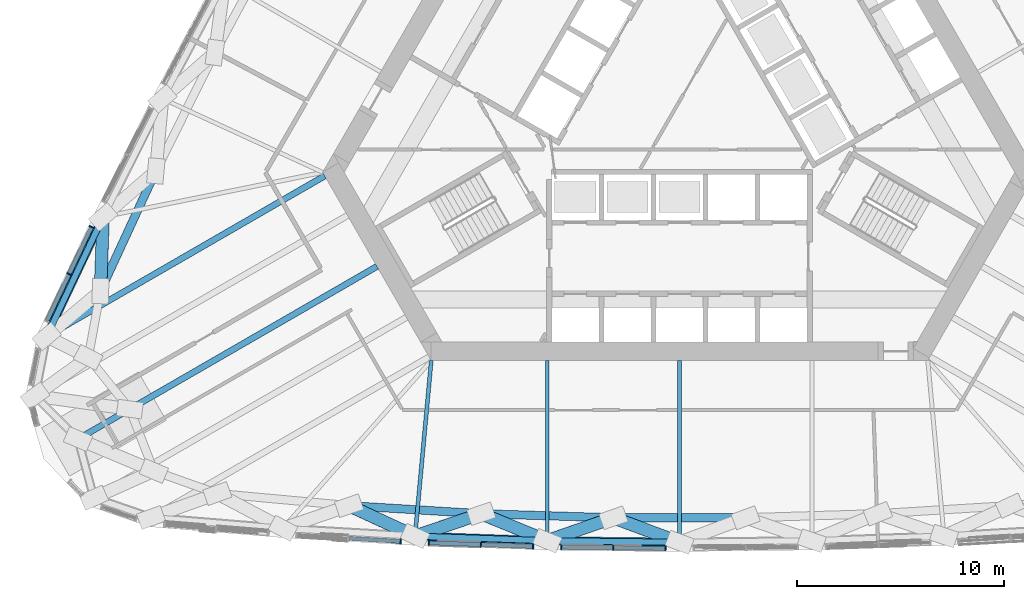
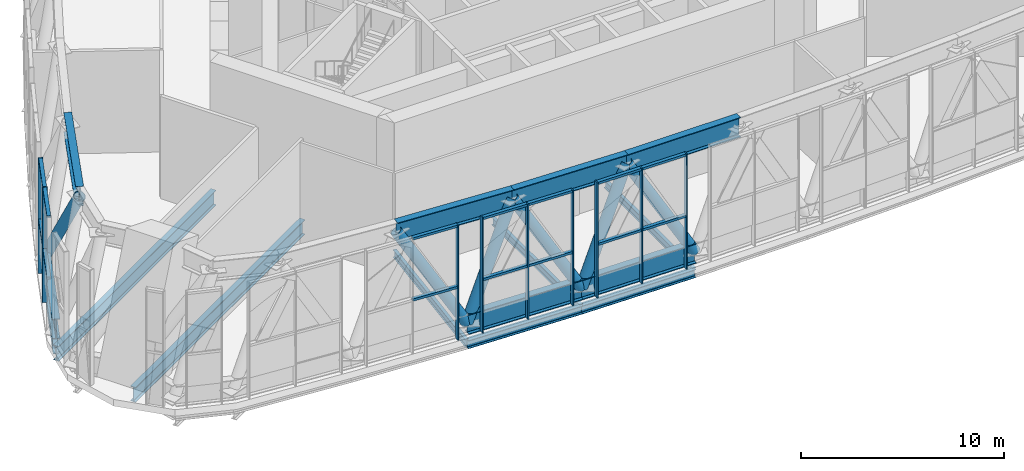
# One storey, part 2 of 33: 36 members, 8 beams, 2 elements without a shape of their own.
"""IFC4 building model written with IfcOpenShell, lengths in metres."""

from ifc_helpers import new_model, si_unit, direction, frame, origin, origin_2d, place, context, subcontext, project, spatial, rectangle, hollow_circle, i_section, extrude, material, material_profile, profile_set, type_object, element, aggregate, save


model = new_model("IFC4")

# Units and contexts
model_context = context("Model", 3, precision=1e-05, world=origin(), true_north=direction((0.0, 1.0)))
body_context = subcontext(model_context, "Body", "Model", "MODEL_VIEW")
ifc_project = project(units=[si_unit("LENGTHUNIT", "METRE"), si_unit("AREAUNIT", "SQUARE_METRE"), si_unit("VOLUMEUNIT", "CUBIC_METRE"), si_unit("PLANEANGLEUNIT", "RADIAN"), si_unit("MASSUNIT", "GRAM", prefix="KILO")], contexts=[model_context])

# Site, building, storey
site_placement = place(None, origin())
site = spatial("IfcSite", under=ifc_project, at=site_placement, CompositionType="ELEMENT")
building_placement = place(site_placement, origin())
building = spatial("IfcBuilding", under=site, at=building_placement, Name="Mestral Congress Tower", CompositionType="ELEMENT")
storey_placement = place(building_placement, frame((0.0, 0.0, 134.39990234375)))
storey = spatial("IfcBuildingStorey", under=building, at=storey_placement, Name="L32", CompositionType="ELEMENT", Elevation=134.39990234375)

# Members
ifc_material_1 = material(Name="Steel S355", Category="steel")
ifc_material_profile_1 = material_profile(ifc_material_1, i_section(OverallWidth=0.39990234375, OverallDepth=1.199951171875, WebThickness=0.02001953125, FlangeThickness=0.0400390625, FilletRadius=0.010009765625, at=origin_2d()), Name="WPG 1200")
ifc_profile_set_1 = profile_set([ifc_material_profile_1], Name="Steel S355")
member_type_1 = type_object("IfcMemberType", Name="Belt chord WPG 1200 S355", PredefinedType="CHORD", material=ifc_profile_set_1)
for number, where, z_axis, x_axis, name in (
    (1, (-12.79541015625, -21.494384765625, 0.60009765625), (0.999385298652, -0.035057450548, 0.0), (0.035057450548, 0.999385298652, 0.0), "MB-L32-BC2-S02"),
    (2, (-6.3994140625, -21.71875, 0.60009765625), (0.999931419324, -0.011711389659, 0.0), (0.011711389659, 0.999931419324, 0.0), "MB-L32-BC2-S03"),
    (3, (-27.8828125, -6.0537109375, 0.60009765625), (-0.427513966881, -0.904008743388, 0.0), (0.904008743388, -0.427513966881, 0.0), "MB-L32-BC2-W07"),
    (4, (-15.984619140625, -20.0224609375, 6.35009765625), (0.998137865433, -0.060998373661, 0.0), (0.060998373661, 0.998137865433, 0.0), "MB-L32-TC2-S01"),
):
    element("IfcMember", number, at=place(storey_placement, frame(where, z_axis=z_axis, x_axis=x_axis)), inside=storey, type_object=member_type_1, Name=name, PredefinedType="CHORD", context=body_context, shape_type="SweptSolid", body=[
        extrude(i_section(OverallWidth=0.39990234375, OverallDepth=1.199951171875, WebThickness=0.02001953125, FlangeThickness=0.0400390625, FilletRadius=0.010009765625, at=origin_2d()), origin(), (0.0, 0.0, 1.0), 6.39990234375),
    ])
member_1_placement = place(storey_placement, frame((-9.5966796875, -20.412841796875, 6.35009765625), z_axis=(0.999534187957, -0.030518963031, 0.0), x_axis=(0.030518963031, 0.999534187957, 0.0)))
element("IfcMember", 5, at=member_1_placement, inside=storey, type_object=member_type_1, Name="MB-L32-TC2-S02", PredefinedType="CHORD", context=body_context, shape_type="SweptSolid", body=[
    extrude(i_section(OverallWidth=0.39990234375, OverallDepth=1.199951171875, WebThickness=0.02001953125, FlangeThickness=0.0400390625, FilletRadius=0.010009765625, at=origin_2d()), origin(), (0.0, 0.0, 1.0), 6.399658203125),
])
member_2_placement = place(storey_placement, frame((-3.199951171875, -20.608154296875, 6.35009765625), z_axis=(1.0, 0.0, 0.0), x_axis=(0.0, 1.0, 0.0)))
element("IfcMember", 6, at=member_2_placement, inside=storey, type_object=member_type_1, Name="MB-L32-TC2-S03", PredefinedType="CHORD", context=body_context, shape_type="SweptSolid", body=[
    extrude(i_section(OverallWidth=0.39990234375, OverallDepth=1.199951171875, WebThickness=0.02001953125, FlangeThickness=0.0400390625, FilletRadius=0.010009765625, at=origin_2d()), origin(), (0.0, 0.0, 1.0), 6.39990234375),
])
member_3_placement = place(storey_placement, frame((-25.332275390625, -3.831787109375, 6.35009765625), z_axis=(-0.418683166857, -0.908132372394, 0.0), x_axis=(0.908132372394, -0.418683166857, 0.0)))
element("IfcMember", 7, at=member_3_placement, inside=storey, type_object=member_type_1, Name="MB-L32-TC2-W06", PredefinedType="CHORD", context=body_context, shape_type="SweptSolid", body=[
    extrude(i_section(OverallWidth=0.39990234375, OverallDepth=1.199951171875, WebThickness=0.02001953125, FlangeThickness=0.0400390625, FilletRadius=0.010009765625, at=origin_2d()), origin(), (0.0, 0.0, 1.0), 6.399658203125),
])
ifc_material_profile_2 = material_profile(ifc_material_1, hollow_circle(Radius=0.304931640625, WallThickness=0.02490234375, at=origin_2d()), Name="CHS 610x25")
ifc_profile_set_2 = profile_set([ifc_material_profile_2], Name="Steel S355")
member_type_2 = type_object("IfcMemberType", Name="Belt diagonal CHS 610x25 S355", PredefinedType="BRACE", material=ifc_profile_set_2)
member_4_placement = place(storey_placement, frame((-12.79541015625, -21.494384765625, 0.60009765625), z_axis=(-0.473319621575, 0.218452422757, 0.853373936105), x_axis=(-0.419053769737, -0.907961418822, 0.0)))
element("IfcMember", 8, at=member_4_placement, inside=storey, type_object=member_type_2, Name="MD-L32-BD2-S02.S01", PredefinedType="BRACE", context=body_context, shape_type="SweptSolid", body=[
    extrude(hollow_circle(Radius=0.304931640625, WallThickness=0.02490234375, at=origin_2d()), origin(), (0.0, 0.0, 1.0), 6.738037109375),
])
member_5_placement = place(storey_placement, frame((-12.79541015625, -21.494384765625, 0.60009765625), z_axis=(0.47970344392, 0.162195562248, 0.862309228455), x_axis=(-0.320302739468, 0.94731523533, 0.0)))
element("IfcMember", 9, at=member_5_placement, inside=storey, type_object=member_type_2, Name="MD-L32-BD2-S02.S02", PredefinedType="BRACE", context=body_context, shape_type="SweptSolid", body=[
    extrude(hollow_circle(Radius=0.304931640625, WallThickness=0.02490234375, at=origin_2d()), origin(), (0.0, 0.0, 1.0), 6.668212890625),
])
member_6_placement = place(storey_placement, frame((-6.3994140625, -21.71875, 0.60009765625), z_axis=(-0.476671046604, 0.194694061415, 0.857250800979), x_axis=(-0.378120817023, -0.925756257194, 0.0)))
element("IfcMember", 10, at=member_6_placement, inside=storey, type_object=member_type_2, Name="MD-L32-BD2-S03.S02", PredefinedType="BRACE", context=body_context, shape_type="SweptSolid", body=[
    extrude(hollow_circle(Radius=0.304931640625, WallThickness=0.02490234375, at=origin_2d()), origin(), (0.0, 0.0, 1.0), 6.70751953125),
])
member_7_placement = place(storey_placement, frame((-6.3994140625, -21.71875, 0.60009765625), z_axis=(0.479444796179, 0.166424599604, 0.86164699272), x_axis=(-0.327925019052, 0.944703753501, 0.0)))
element("IfcMember", 11, at=member_7_placement, inside=storey, type_object=member_type_2, Name="MD-L32-BD2-S03.S03", PredefinedType="BRACE", context=body_context, shape_type="SweptSolid", body=[
    extrude(hollow_circle(Radius=0.304931640625, WallThickness=0.02490234375, at=origin_2d()), origin(), (0.0, 0.0, 1.0), 6.67333984375),
])
member_8_placement = place(storey_placement, frame((0.0, -21.793701171875, 0.60009765625), z_axis=(-0.478577354036, 0.177307670039, 0.859956804932), x_axis=(-0.347412218377, -0.937712509527, 0.0)))
element("IfcMember", 12, at=member_8_placement, inside=storey, type_object=member_type_2, Name="MD-L32-BD2-S04.S03", PredefinedType="BRACE", context=body_context, shape_type="SweptSolid", body=[
    extrude(hollow_circle(Radius=0.304931640625, WallThickness=0.02490234375, at=origin_2d()), origin(), (0.0, 0.0, 1.0), 6.686279296875),
])
member_9_placement = place(storey_placement, frame((-27.8828125, -6.0537109375, 0.60009765625), z_axis=(-0.019013197942, -0.529488754801, 0.848103859703), x_axis=(0.99935590917, -0.035885467903, 0.0)))
element("IfcMember", 13, at=member_9_placement, inside=storey, type_object=member_type_2, Name="MD-L32-BD2-W07.W07", PredefinedType="BRACE", context=body_context, shape_type="SweptSolid", body=[
    extrude(hollow_circle(Radius=0.304931640625, WallThickness=0.02490234375, at=origin_2d()), origin(), (0.0, 0.0, 1.0), 6.77978515625),
])

# Curtain wall, members
ifc_material_2 = material(Name="Clear low-emissivity double glazing", Category="glass")
curtain_wall_type = type_object("IfcCurtainWallType", Name="Facade sky lobby curtain wall", PredefinedType="USERDEFINED", material=ifc_material_2)
placement = place(storey_placement, origin())
curtain_wall_1 = element("IfcCurtainWall", 14, at=placement, inside=storey, type_object=curtain_wall_type, Name="Facade sky lobby curtain wall face 1", ObjectType="CURTAIN WALL", PredefinedType="USERDEFINED")
ifc_material_3 = material(Name="Anodised aluminium", Category="aluminium")
ifc_material_profile_3 = material_profile(ifc_material_3, rectangle(XDim=0.25, YDim=0.06005859375, at=origin_2d()), Name="CW1 mullion 250 x 60")
ifc_profile_set_3 = profile_set([ifc_material_profile_3], Name="Anodised aluminium")
member_type_3 = type_object("IfcMemberType", Name="Facade sky lobby curtain wall mullion", PredefinedType="MULLION", material=ifc_profile_set_3)
member_10_placement = place(storey_placement, frame((-13.491455078125, -21.754150390625, 0.0), z_axis=(0.0, 0.0, 1.0), x_axis=(-0.058436964865, -0.9982911004, 0.0)))
member_10 = element("IfcMember", 15, at=member_10_placement, type_object=member_type_3, Name="Facade sky lobby curtain wall mullion", PredefinedType="MULLION", context=body_context, shape_type="SweptSolid", body=[
    extrude(rectangle(XDim=0.25, YDim=0.06005859375, at=origin_2d()), origin(), (0.0, 0.0, 1.0), 6.9501953125),
])
member_11_placement = place(storey_placement, frame((-12.126708984375, -21.818115234375, 0.0), z_axis=(0.0, 0.0, 1.0), x_axis=(-0.035066945752, -0.999384965524, 0.0)))
member_11 = element("IfcMember", 16, at=member_11_placement, type_object=member_type_3, Name="Facade sky lobby curtain wall mullion", PredefinedType="MULLION", context=body_context, shape_type="SweptSolid", body=[
    extrude(rectangle(XDim=0.25, YDim=0.06005859375, at=origin_2d()), origin(), (0.0, 0.0, 1.0), 6.9501953125),
])
member_12_placement = place(storey_placement, frame((-9.60791015625, -21.906494140625, 0.0), z_axis=(0.0, 0.0, 1.0), x_axis=(-0.035066945752, -0.999384965524, 0.0)))
member_12 = element("IfcMember", 17, at=member_12_placement, type_object=member_type_3, Name="Facade sky lobby curtain wall mullion", PredefinedType="MULLION", context=body_context, shape_type="SweptSolid", body=[
    extrude(rectangle(XDim=0.25, YDim=0.06005859375, at=origin_2d()), origin(), (0.0, 0.0, 1.0), 6.9501953125),
])
member_13_placement = place(storey_placement, frame((-7.089111328125, -21.994873046875, 0.0), z_axis=(0.0, 0.0, 1.0), x_axis=(-0.035066945752, -0.999384965524, 0.0)))
member_13 = element("IfcMember", 18, at=member_13_placement, type_object=member_type_3, Name="Facade sky lobby curtain wall mullion", PredefinedType="MULLION", context=body_context, shape_type="SweptSolid", body=[
    extrude(rectangle(XDim=0.25, YDim=0.06005859375, at=origin_2d()), origin(), (0.0, 0.0, 1.0), 6.9501953125),
])
member_14_placement = place(storey_placement, frame((-5.72314453125, -22.026611328125, 0.0), z_axis=(0.0, 0.0, 1.0), x_axis=(-0.011700420325, -0.999931547739, 0.0)))
member_14 = element("IfcMember", 19, at=member_14_placement, type_object=member_type_3, Name="Facade sky lobby curtain wall mullion", PredefinedType="MULLION", context=body_context, shape_type="SweptSolid", body=[
    extrude(rectangle(XDim=0.25, YDim=0.06005859375, at=origin_2d()), origin(), (0.0, 0.0, 1.0), 6.9501953125),
])
member_15_placement = place(storey_placement, frame((-3.203125, -22.05615234375, 0.0), z_axis=(0.0, 0.0, 1.0), x_axis=(-0.011700420325, -0.999931547739, 0.0)))
member_15 = element("IfcMember", 20, at=member_15_placement, type_object=member_type_3, Name="Facade sky lobby curtain wall mullion", PredefinedType="MULLION", context=body_context, shape_type="SweptSolid", body=[
    extrude(rectangle(XDim=0.25, YDim=0.06005859375, at=origin_2d()), origin(), (0.0, 0.0, 1.0), 6.9501953125),
])
member_16_placement = place(storey_placement, frame((-0.68310546875, -22.085693359375, 0.0), z_axis=(0.0, 0.0, 1.0), x_axis=(-0.011700420325, -0.999931547739, 0.0)))
member_16 = element("IfcMember", 21, at=member_16_placement, type_object=member_type_3, Name="Facade sky lobby curtain wall mullion", PredefinedType="MULLION", context=body_context, shape_type="SweptSolid", body=[
    extrude(rectangle(XDim=0.25, YDim=0.06005859375, at=origin_2d()), origin(), (0.0, 0.0, 1.0), 6.9501953125),
])

curtain_wall_2 = element("IfcCurtainWall", 22, at=placement, inside=storey, type_object=curtain_wall_type, Name="Facade sky lobby curtain wall face 3", ObjectType="CURTAIN WALL", PredefinedType="USERDEFINED")
member_17_placement = place(storey_placement, frame((-28.44482421875, -6.5400390625, 0.0), z_axis=(0.0, 0.0, 1.0), x_axis=(-0.904005709394, 0.427520382418, 0.0)))
member_17 = element("IfcMember", 23, at=member_17_placement, type_object=member_type_3, Name="Facade sky lobby curtain wall mullion", PredefinedType="MULLION", context=body_context, shape_type="SweptSolid", body=[
    extrude(rectangle(XDim=0.25, YDim=0.06005859375, at=origin_2d()), origin(), (0.0, 0.0, 1.0), 6.9501953125),
])
member_18_placement = place(storey_placement, frame((-29.5234375, -8.8212890625, 0.0), z_axis=(0.0, 0.0, 1.0), x_axis=(-0.904005709394, 0.427520382418, 0.0)))
member_18 = element("IfcMember", 24, at=member_18_placement, type_object=member_type_3, Name="Facade sky lobby curtain wall mullion", PredefinedType="MULLION", context=body_context, shape_type="SweptSolid", body=[
    extrude(rectangle(XDim=0.25, YDim=0.06005859375, at=origin_2d()), origin(), (0.0, 0.0, 1.0), 6.9501953125),
])

# Member
ifc_material_profile_4 = material_profile(ifc_material_3, rectangle(XDim=0.199951171875, YDim=0.139892578125, at=origin_2d()), Name="CW1 transom 200 x 140")
ifc_profile_set_4 = profile_set([ifc_material_profile_4], Name="Anodised aluminium")
member_type_4 = type_object("IfcMemberType", Name="Facade sky lobby curtain wall transom", PredefinedType="USERDEFINED", material=ifc_profile_set_4)
member_19_placement = place(storey_placement, frame((-15.977294921875, -21.608642578125, 3.2001953125), z_axis=(0.998290079372, -0.058454404687, 0.0), x_axis=(0.058454404687, 0.998290079372, 0.0)))
member_19 = element("IfcMember", 25, at=member_19_placement, type_object=member_type_4, Name="Facade sky lobby curtain wall transom", ObjectType="TRANSOM", PredefinedType="USERDEFINED", context=body_context, shape_type="SweptSolid", body=[
    extrude(rectangle(XDim=0.199951171875, YDim=0.139892578125, at=origin_2d()), origin(), (0.0, 0.0, 1.0), 2.4599609375),
])

member_20_placement = place(storey_placement, frame((-15.977294921875, -21.608642578125, 6.880126953125), z_axis=(0.998290079372, -0.058454404687, 0.0), x_axis=(0.058454404687, 0.998290079372, 0.0)))
member_20 = element("IfcMember", 26, at=member_20_placement, type_object=member_type_4, Name="Facade sky lobby curtain wall transom", ObjectType="TRANSOM", PredefinedType="USERDEFINED", context=body_context, shape_type="SweptSolid", body=[
    extrude(rectangle(XDim=0.199951171875, YDim=0.139892578125, at=origin_2d()), origin(), (0.0, 0.0, 1.0), 2.4599609375),
])

member_21_placement = place(storey_placement, frame((-12.0966796875, -21.819091796875, 3.2001953125), z_axis=(0.999386274351, -0.035029625146, 0.0), x_axis=(0.035029625146, 0.999386274351, 0.0)))
member_21 = element("IfcMember", 27, at=member_21_placement, type_object=member_type_4, Name="Facade sky lobby curtain wall transom", ObjectType="TRANSOM", PredefinedType="USERDEFINED", context=body_context, shape_type="SweptSolid", body=[
    extrude(rectangle(XDim=0.199951171875, YDim=0.139892578125, at=origin_2d()), origin(), (0.0, 0.0, 1.0), 2.460205078125),
])

member_22_placement = place(storey_placement, frame((-12.0966796875, -21.819091796875, 6.880126953125), z_axis=(0.999386274351, -0.035029625146, 0.0), x_axis=(0.035029625146, 0.999386274351, 0.0)))
member_22 = element("IfcMember", 28, at=member_22_placement, type_object=member_type_4, Name="Facade sky lobby curtain wall transom", ObjectType="TRANSOM", PredefinedType="USERDEFINED", context=body_context, shape_type="SweptSolid", body=[
    extrude(rectangle(XDim=0.199951171875, YDim=0.139892578125, at=origin_2d()), origin(), (0.0, 0.0, 1.0), 2.460205078125),
])

member_23_placement = place(storey_placement, frame((-9.577880859375, -21.907470703125, 3.2001953125), z_axis=(0.999386274351, -0.035029625146, 0.0), x_axis=(0.035029625146, 0.999386274351, 0.0)))
member_23 = element("IfcMember", 29, at=member_23_placement, type_object=member_type_4, Name="Facade sky lobby curtain wall transom", ObjectType="TRANSOM", PredefinedType="USERDEFINED", context=body_context, shape_type="SweptSolid", body=[
    extrude(rectangle(XDim=0.199951171875, YDim=0.139892578125, at=origin_2d()), origin(), (0.0, 0.0, 1.0), 2.460205078125),
])

member_24_placement = place(storey_placement, frame((-9.577880859375, -21.907470703125, 6.880126953125), z_axis=(0.999386274351, -0.035029625146, 0.0), x_axis=(0.035029625146, 0.999386274351, 0.0)))
member_24 = element("IfcMember", 30, at=member_24_placement, type_object=member_type_4, Name="Facade sky lobby curtain wall transom", ObjectType="TRANSOM", PredefinedType="USERDEFINED", context=body_context, shape_type="SweptSolid", body=[
    extrude(rectangle(XDim=0.199951171875, YDim=0.139892578125, at=origin_2d()), origin(), (0.0, 0.0, 1.0), 2.460205078125),
])

member_25_placement = place(storey_placement, frame((-5.693115234375, -22.027099609375, 3.2001953125), z_axis=(0.999931433334, -0.011710193443, 0.0), x_axis=(0.011710193443, 0.999931433334, 0.0)))
member_25 = element("IfcMember", 31, at=member_25_placement, type_object=member_type_4, Name="Facade sky lobby curtain wall transom", ObjectType="TRANSOM", PredefinedType="USERDEFINED", context=body_context, shape_type="SweptSolid", body=[
    extrude(rectangle(XDim=0.199951171875, YDim=0.139892578125, at=origin_2d()), origin(), (0.0, 0.0, 1.0), 2.460205078125),
])

member_26_placement = place(storey_placement, frame((-5.693115234375, -22.027099609375, 6.880126953125), z_axis=(0.999931433334, -0.011710193443, 0.0), x_axis=(0.011710193443, 0.999931433334, 0.0)))
member_26 = element("IfcMember", 32, at=member_26_placement, type_object=member_type_4, Name="Facade sky lobby curtain wall transom", ObjectType="TRANSOM", PredefinedType="USERDEFINED", context=body_context, shape_type="SweptSolid", body=[
    extrude(rectangle(XDim=0.199951171875, YDim=0.139892578125, at=origin_2d()), origin(), (0.0, 0.0, 1.0), 2.460205078125),
])

member_27_placement = place(storey_placement, frame((-3.173095703125, -22.056640625, 3.2001953125), z_axis=(0.99993259044, -0.011610967952, 0.0), x_axis=(0.011610967952, 0.99993259044, 0.0)))
member_27 = element("IfcMember", 33, at=member_27_placement, type_object=member_type_4, Name="Facade sky lobby curtain wall transom", ObjectType="TRANSOM", PredefinedType="USERDEFINED", context=body_context, shape_type="SweptSolid", body=[
    extrude(rectangle(XDim=0.199951171875, YDim=0.139892578125, at=origin_2d()), origin(), (0.0, 0.0, 1.0), 2.460205078125),
])

member_28_placement = place(storey_placement, frame((-3.173095703125, -22.056640625, 6.880126953125), z_axis=(0.99993259044, -0.011610967952, 0.0), x_axis=(0.011610967952, 0.99993259044, 0.0)))
member_28 = element("IfcMember", 34, at=member_28_placement, type_object=member_type_4, Name="Facade sky lobby curtain wall transom", ObjectType="TRANSOM", PredefinedType="USERDEFINED", context=body_context, shape_type="SweptSolid", body=[
    extrude(rectangle(XDim=0.199951171875, YDim=0.139892578125, at=origin_2d()), origin(), (0.0, 0.0, 1.0), 2.460205078125),
])

aggregate(curtain_wall_1, [member_10, member_19, member_20, member_11, member_12, member_13, member_21, member_22, member_23, member_24, member_14, member_15, member_16, member_25, member_26, member_27, member_28])

member_29_placement = place(storey_placement, frame((-28.45751953125, -6.567138671875, 3.2001953125), z_axis=(-0.427523939243, -0.9040040273, 0.0), x_axis=(0.9040040273, -0.427523939243, 0.0)))
member_29 = element("IfcMember", 35, at=member_29_placement, type_object=member_type_4, Name="Facade sky lobby curtain wall transom", ObjectType="TRANSOM", PredefinedType="USERDEFINED", context=body_context, shape_type="SweptSolid", body=[
    extrude(rectangle(XDim=0.199951171875, YDim=0.139892578125, at=origin_2d()), origin(), (0.0, 0.0, 1.0), 2.463623046875),
])

member_30_placement = place(storey_placement, frame((-28.45751953125, -6.567138671875, 6.880126953125), z_axis=(-0.427523939243, -0.9040040273, 0.0), x_axis=(0.9040040273, -0.427523939243, 0.0)))
member_30 = element("IfcMember", 36, at=member_30_placement, type_object=member_type_4, Name="Facade sky lobby curtain wall transom", ObjectType="TRANSOM", PredefinedType="USERDEFINED", context=body_context, shape_type="SweptSolid", body=[
    extrude(rectangle(XDim=0.199951171875, YDim=0.139892578125, at=origin_2d()), origin(), (0.0, 0.0, 1.0), 2.463623046875),
])

member_31_placement = place(storey_placement, frame((-29.536376953125, -8.848388671875, 3.2001953125), z_axis=(-0.427562243378, -0.903985911416, 0.0), x_axis=(0.903985911416, -0.427562243378, 0.0)))
member_31 = element("IfcMember", 37, at=member_31_placement, type_object=member_type_4, Name="Facade sky lobby curtain wall transom", ObjectType="TRANSOM", PredefinedType="USERDEFINED", context=body_context, shape_type="SweptSolid", body=[
    extrude(rectangle(XDim=0.199951171875, YDim=0.139892578125, at=origin_2d()), origin(), (0.0, 0.0, 1.0), 2.46337890625),
])

member_32_placement = place(storey_placement, frame((-29.536376953125, -8.848388671875, 6.880126953125), z_axis=(-0.427562243378, -0.903985911416, 0.0), x_axis=(0.903985911416, -0.427562243378, 0.0)))
member_32 = element("IfcMember", 38, at=member_32_placement, type_object=member_type_4, Name="Facade sky lobby curtain wall transom", ObjectType="TRANSOM", PredefinedType="USERDEFINED", context=body_context, shape_type="SweptSolid", body=[
    extrude(rectangle(XDim=0.199951171875, YDim=0.139892578125, at=origin_2d()), origin(), (0.0, 0.0, 1.0), 2.46337890625),
])

aggregate(curtain_wall_2, [member_17, member_18, member_29, member_30, member_31, member_32])

# Beams
ifc_material_profile_5 = material_profile(ifc_material_1, i_section(OverallWidth=0.300048828125, OverallDepth=0.89990234375, WebThickness=0.0185546875, FlangeThickness=0.034912109375, FilletRadius=0.030029296875, at=origin_2d()), Name="HEB 900")
ifc_profile_set_5 = profile_set([ifc_material_profile_5], Name="Steel S355")
beam_type_1 = type_object("IfcBeamType", Name="Floor beam HEB 900 S355", PredefinedType="BEAM", material=ifc_profile_set_5)
beam_1_placement = place(storey_placement, frame((-30.618896484375, -11.83935546875, -0.849853515625), z_axis=(0.866020985544, 0.500007652538, 0.0), x_axis=(-0.500007652538, 0.866020985544, 0.0)))
element("IfcBeam", 39, at=beam_1_placement, inside=storey, type_object=beam_type_1, Name="BM-L32-RB2-W08", PredefinedType="BEAM", context=body_context, shape_type="SweptSolid", body=[
    extrude(i_section(OverallWidth=0.300048828125, OverallDepth=0.89990234375, WebThickness=0.0185546875, FlangeThickness=0.034912109375, FilletRadius=0.030029296875, at=origin_2d()), origin(), (0.0, 0.0, 1.0), 15.536376953125),
])
beam_2_placement = place(storey_placement, frame((-29.09716796875, -16.79931640625, -0.849853515625), z_axis=(0.86602392139, 0.500002567573, 0.0), x_axis=(-0.500002567573, 0.86602392139, 0.0)))
element("IfcBeam", 40, at=beam_2_placement, inside=storey, type_object=beam_type_1, Name="BM-L32-RB2-SW", PredefinedType="BEAM", context=body_context, shape_type="SweptSolid", body=[
    extrude(i_section(OverallWidth=0.300048828125, OverallDepth=0.89990234375, WebThickness=0.0185546875, FlangeThickness=0.034912109375, FilletRadius=0.030029296875, at=origin_2d()), origin(), (0.0, 0.0, 1.0), 16.69873046875),
])
ifc_material_profile_6 = material_profile(ifc_material_1, i_section(OverallWidth=0.18994140625, OverallDepth=0.449951171875, WebThickness=0.009521484375, FlangeThickness=0.0146484375, FilletRadius=0.02099609375, at=origin_2d()), Name="IPE 450")
ifc_profile_set_6 = profile_set([ifc_material_profile_6], Name="Steel S355")
beam_type_2 = type_object("IfcBeamType", Name="Floor beam IPE 450 S355", PredefinedType="BEAM", material=ifc_profile_set_6)
beam_3_placement = place(storey_placement, frame((-12.79541015625, -21.494384765625, -0.625), z_axis=(0.092210296494, 0.995739554914, 0.0), x_axis=(-0.995739554914, 0.092210296494, 0.0)))
element("IfcBeam", 41, at=beam_3_placement, inside=storey, type_object=beam_type_2, Name="BM-L32-RB2-S02", PredefinedType="BEAM", context=body_context, shape_type="SweptSolid", body=[
    extrude(i_section(OverallWidth=0.18994140625, OverallDepth=0.449951171875, WebThickness=0.009521484375, FlangeThickness=0.0146484375, FilletRadius=0.02099609375, at=origin_2d()), origin(), (0.0, 0.0, 1.0), 8.53076171875),
])
beam_4_placement = place(storey_placement, frame((-6.3994140625, -21.71875, -0.625), z_axis=(0.0, 1.0, 0.0), x_axis=(-1.0, 0.0, 0.0)))
element("IfcBeam", 42, at=beam_4_placement, inside=storey, type_object=beam_type_2, Name="BM-L32-RB2-S03", PredefinedType="BEAM", context=body_context, shape_type="SweptSolid", body=[
    extrude(i_section(OverallWidth=0.18994140625, OverallDepth=0.449951171875, WebThickness=0.009521484375, FlangeThickness=0.0146484375, FilletRadius=0.02099609375, at=origin_2d()), origin(), (0.0, 0.0, 1.0), 8.71875),
])
beam_5_placement = place(storey_placement, frame((0.0, -21.793701171875, -0.625), z_axis=(0.0, 1.0, 0.0), x_axis=(-1.0, 0.0, 0.0)))
element("IfcBeam", 43, at=beam_5_placement, inside=storey, type_object=beam_type_2, Name="BM-L32-RB2-S04", PredefinedType="BEAM", context=body_context, shape_type="SweptSolid", body=[
    extrude(i_section(OverallWidth=0.18994140625, OverallDepth=0.449951171875, WebThickness=0.009521484375, FlangeThickness=0.0146484375, FilletRadius=0.02099609375, at=origin_2d()), origin(), (0.0, 0.0, 1.0), 8.793701171875),
])
ifc_material_profile_7 = material_profile(ifc_material_1, i_section(OverallWidth=0.300048828125, OverallDepth=0.489990234375, WebThickness=0.011962890625, FlangeThickness=0.02294921875, FilletRadius=0.027099609375, at=origin_2d()), Name="HEA 500")
ifc_profile_set_7 = profile_set([ifc_material_profile_7], Name="Steel S355")
beam_type_3 = type_object("IfcBeamType", Name="Spandrel beam HEA 500 S355", PredefinedType="BEAM", material=ifc_profile_set_7)
for number, where, z_axis, x_axis, name in (
    (44, (-12.79541015625, -21.494384765625, -0.64501953125), (0.999385298652, -0.035057450548, 0.0), (0.035057450548, 0.999385298652, 0.0), "SP-L32-SB2-S02"),
    (45, (-6.3994140625, -21.71875, -0.64501953125), (0.999931419324, -0.011711389659, 0.0), (0.011711389659, 0.999931419324, 0.0), "SP-L32-SB2-S03"),
    (46, (-27.8828125, -6.0537109375, -0.64501953125), (-0.427513966881, -0.904008743388, 0.0), (0.904008743388, -0.427513966881, 0.0), "SP-L32-SB2-W07"),
):
    element("IfcBeam", number, at=place(storey_placement, frame(where, z_axis=z_axis, x_axis=x_axis)), inside=storey, type_object=beam_type_3, Name=name, PredefinedType="BEAM", context=body_context, shape_type="SweptSolid", body=[
        extrude(i_section(OverallWidth=0.300048828125, OverallDepth=0.489990234375, WebThickness=0.011962890625, FlangeThickness=0.02294921875, FilletRadius=0.027099609375, at=origin_2d()), origin(), (0.0, 0.0, 1.0), 6.39990234375),
    ])

save(model, "model.ifc")
